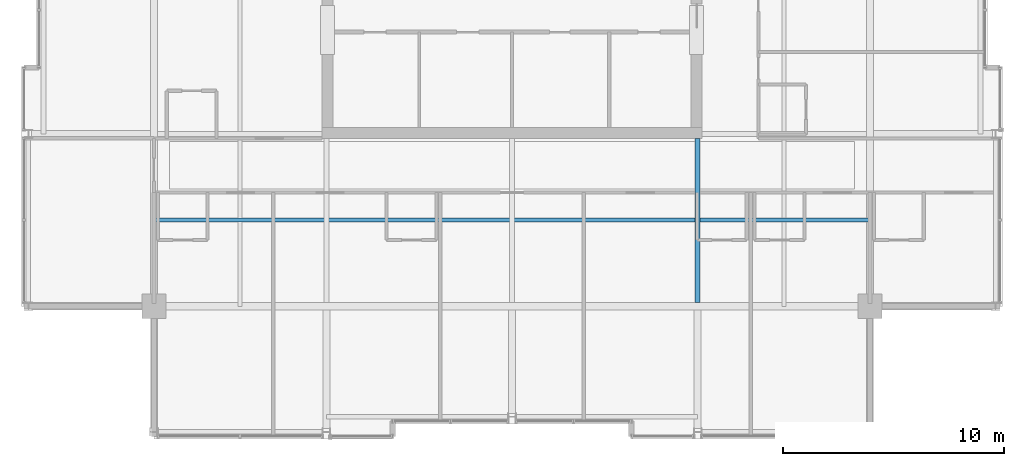
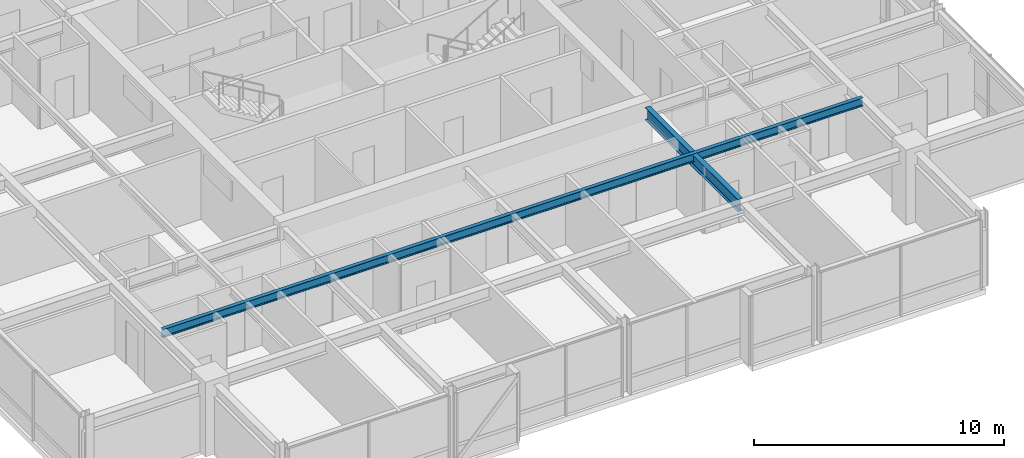
# One storey, part 10 of 33: 2 beams.
"""IFC4 building model written with IfcOpenShell, lengths in metres."""

from ifc_helpers import new_model, si_unit, direction, frame, origin, origin_2d, place, context, subcontext, project, spatial, i_section, extrude, material, material_profile, profile_set, type_object, element, save


model = new_model("IFC4")

# Units and contexts
model_context = context("Model", 3, precision=1e-05, world=origin(), true_north=direction((0.0, 1.0)))
body_context = subcontext(model_context, "Body", "Model", "MODEL_VIEW")
ifc_project = project(units=[si_unit("LENGTHUNIT", "METRE"), si_unit("AREAUNIT", "SQUARE_METRE"), si_unit("VOLUMEUNIT", "CUBIC_METRE"), si_unit("PLANEANGLEUNIT", "RADIAN"), si_unit("MASSUNIT", "GRAM", prefix="KILO")], contexts=[model_context])

# Site, building, storey
site_placement = place(None, origin())
site = spatial("IfcSite", under=ifc_project, at=site_placement, CompositionType="ELEMENT")
building_placement = place(site_placement, origin())
building = spatial("IfcBuilding", under=site, at=building_placement, Name="Drelvath Grand Hotel", CompositionType="ELEMENT")
storey_placement = place(building_placement, frame((0.0, 0.0, 268.64990234375)))
storey = spatial("IfcBuildingStorey", under=building, at=storey_placement, Name="L70", CompositionType="ELEMENT", Elevation=268.64990234375)

# Beams
ifc_material = material(Name="Steel ASTM A992 Gr 50", Category="steel")
ifc_material_profile_1 = material_profile(ifc_material, i_section(OverallWidth=0.177734375, OverallDepth=0.40673828125, WebThickness=0.0078125, FlangeThickness=0.0126953125, FilletRadius=0.014892578125, at=origin_2d()), Name="W16X40")
ifc_profile_set_1 = profile_set([ifc_material_profile_1], Name="Steel ASTM A992 Gr 50")
beam_type_1 = type_object("IfcBeamType", Name="Composite Floor Joist W16X40", PredefinedType="JOIST", material=ifc_profile_set_1)
beam_1_placement = place(storey_placement, frame((-16.199951171875, 14.699951171875, 3.186767578125), z_axis=(1.0, 0.0, 0.0), x_axis=(0.0, 1.0, 0.0)))
element("IfcBeam", 1, at=beam_1_placement, inside=storey, type_object=beam_type_1, Name="L70 Floor Joist J1", PredefinedType="JOIST", context=body_context, shape_type="SweptSolid", body=[
    extrude(i_section(OverallWidth=0.177734375, OverallDepth=0.40673828125, WebThickness=0.0078125, FlangeThickness=0.0126953125, FilletRadius=0.014892578125, at=origin_2d()), origin(), (0.0, 0.0, 1.0), 32.39990234375),
])
ifc_material_profile_2 = material_profile(ifc_material, i_section(OverallWidth=0.228271484375, OverallDepth=0.607666015625, WebThickness=0.01123046875, FlangeThickness=0.017333984375, FilletRadius=0.02001953125, at=origin_2d()), Name="W24X76")
ifc_profile_set_2 = profile_set([ifc_material_profile_2], Name="Steel ASTM A992 Gr 50")
beam_type_2 = type_object("IfcBeamType", Name="Primary Floor Girder W24X76", PredefinedType="BEAM", material=ifc_profile_set_2)
beam_2_placement = place(storey_placement, frame((8.39990234375, 10.9619140625, 3.086181640625), z_axis=(0.0, 1.0, 0.0), x_axis=(-1.0, 0.0, 0.0)))
element("IfcBeam", 2, at=beam_2_placement, inside=storey, type_object=beam_type_2, Name="L70 South Core Tie 6", PredefinedType="BEAM", context=body_context, shape_type="SweptSolid", body=[
    extrude(i_section(OverallWidth=0.228271484375, OverallDepth=0.607666015625, WebThickness=0.01123046875, FlangeThickness=0.017333984375, FilletRadius=0.02001953125, at=origin_2d()), origin(), (0.0, 0.0, 1.0), 7.43798828125),
])

save(model, "model.ifc")
